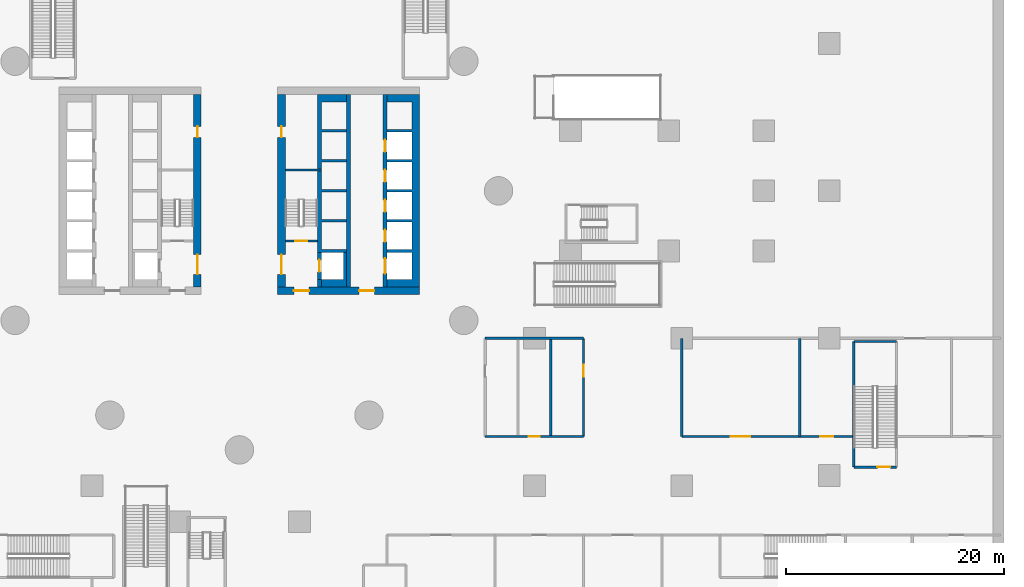
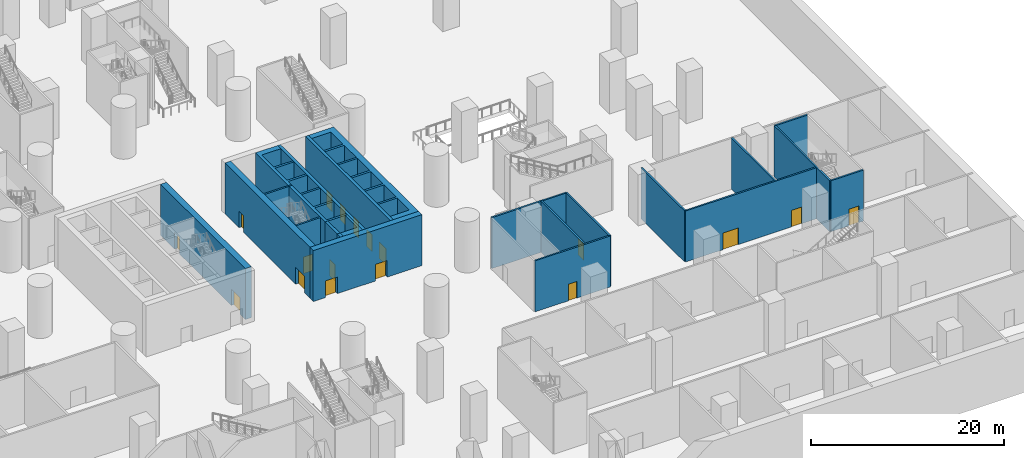
# One storey, part 8 of 37: 22 walls, 18 doors, 18 openings.
"""IFC4 building model written with IfcOpenShell, lengths in metres."""

from ifc_helpers import new_model, si_unit, direction, frame, frame_2d, origin, place, context, subcontext, project, spatial, polyline, rectangle, outline, extrude, material, layer, layer_set, type_object, element, fill, save


model = new_model("IFC4")

# Units and contexts
model_context = context("Model", 3, precision=1e-05, world=origin(), true_north=direction((0.0, 1.0)))
body_context = subcontext(model_context, "Body", "Model", "MODEL_VIEW")
ifc_project = project(units=[si_unit("LENGTHUNIT", "METRE"), si_unit("AREAUNIT", "SQUARE_METRE"), si_unit("VOLUMEUNIT", "CUBIC_METRE"), si_unit("PLANEANGLEUNIT", "RADIAN"), si_unit("MASSUNIT", "GRAM", prefix="KILO")], contexts=[model_context])

# Site, building, storey
site_placement = place(None, origin())
site = spatial("IfcSite", under=ifc_project, at=site_placement, CompositionType="ELEMENT")
building_placement = place(site_placement, origin())
building = spatial("IfcBuilding", under=site, at=building_placement, Name="Tamarind Cross Interchange Tower", CompositionType="ELEMENT")
storey_placement = place(building_placement, frame((0.0, 0.0, -7.0)))
storey = spatial("IfcBuildingStorey", under=building, at=storey_placement, Name="B1", CompositionType="ELEMENT", Elevation=-7.0)

# Wall, openings, doors
ifc_material_1 = material(Name="Concrete C80", Category="concrete")
ifc_layer_1 = layer(ifc_material_1, 0.699951171875)
ifc_layer_set_1 = layer_set([ifc_layer_1], Name="Concrete C80")
wall_type_1 = type_object("IfcWallType", Name="Core wall 700 mm Concrete C80", PredefinedType="SHEAR", material=ifc_layer_set_1)
wall_1_placement = place(storey_placement, frame((-3.85009765625, -8.800048828125, 0.0), z_axis=(0.0, 0.0, 1.0), x_axis=(0.0, 1.0, 0.0)))
wall_1 = element("IfcWall", 1, at=wall_1_placement, inside=storey, type_object=wall_type_1, Name="Core wall CWL-B1-W-IN", PredefinedType="SHEAR", context=body_context, shape_type="SweptSolid", body=[
    extrude(rectangle(XDim=17.60009765625, YDim=0.699951171875, at=frame_2d((8.800048828125, 0.0))), origin(), (0.0, 0.0, 1.0), 6.449951171875),
])
opening_1_placement = place(wall_1_placement, frame((1.14990234375, 0.0, 0.0)))
opening_1 = element("IfcOpeningElement", 2, at=opening_1_placement, cuts=wall_1, Name="Opening DCW4", PredefinedType="OPENING", context=body_context, shape_type="SweptSolid", body=[
    extrude(rectangle(XDim=1.800048828125, YDim=2.10009765625, at=frame_2d((0.89990234375, 1.050048828125))), frame((0.0, 0.35986328125, 0.0), z_axis=(0.0, -1.0, 0.0), x_axis=(1.0, 0.0, 0.0)), (0.0, 0.0, 1.0), 0.719970703125),
])
opening_2_placement = place(wall_1_placement, frame((13.699951171875, 0.0, 0.0)))
opening_2 = element("IfcOpeningElement", 3, at=opening_2_placement, cuts=wall_1, Name="Opening DCW5", PredefinedType="OPENING", context=body_context, shape_type="SweptSolid", body=[
    extrude(rectangle(XDim=1.0, YDim=2.10009765625, at=frame_2d((0.5, 1.050048828125))), frame((0.0, 0.35986328125, 0.0), z_axis=(0.0, -1.0, 0.0), x_axis=(1.0, 0.0, 0.0)), (0.0, 0.0, 1.0), 0.719970703125),
])
ifc_material_2 = material(Name="Steel, fire-resisting", Category="steel")
door_type_1 = type_object("IfcDoorType", Name="Core fire door 1000 x 2100 FD90", OperationType="SINGLE_SWING_LEFT", PredefinedType="DOOR", material=ifc_material_2)
door_1_placement = place(opening_2_placement, origin())
door_1 = element("IfcDoor", 4, at=door_1_placement, inside=storey, type_object=door_type_1, Name="B1 riser room door", OperationType="SINGLE_SWING_LEFT", OverallHeight=2.10009765625, OverallWidth=1.0, PredefinedType="DOOR", context=body_context, shape_type="SweptSolid", body=[
    extrude(rectangle(XDim=1.0, YDim=2.10009765625, at=frame_2d((0.5, 1.050048828125))), frame((0.0, 0.02490234375, 0.0), z_axis=(0.0, -1.0, 0.0), x_axis=(1.0, 0.0, 0.0)), (0.0, 0.0, 1.0), 0.050048828125),
])
fill(opening_2, door_1)
door_type_2 = type_object("IfcDoorType", Name="Core fire door 1800 x 2100 FD90", OperationType="SINGLE_SWING_LEFT", PredefinedType="DOOR", material=ifc_material_2)
door_2_placement = place(opening_1_placement, origin())
door_2 = element("IfcDoor", 5, at=door_2_placement, inside=storey, type_object=door_type_2, Name="B1 firefighting lobby door", OperationType="SINGLE_SWING_LEFT", OverallHeight=2.10009765625, OverallWidth=1.800048828125, PredefinedType="DOOR", context=body_context, shape_type="SweptSolid", body=[
    extrude(rectangle(XDim=1.800048828125, YDim=2.10009765625, at=frame_2d((0.89990234375, 1.050048828125))), frame((0.0, 0.02490234375, 0.0), z_axis=(0.0, -1.0, 0.0), x_axis=(1.0, 0.0, 0.0)), (0.0, 0.0, 1.0), 0.050048828125),
])
fill(opening_1, door_2)

wall_2_placement = place(storey_placement, frame((16.5, -9.14990234375, 0.0), z_axis=(0.0, 0.0, 1.0), x_axis=(-1.0, 0.0, 0.0)))
wall_2 = element("IfcWall", 6, at=wall_2_placement, inside=storey, type_object=wall_type_1, Name="Core wall CWL-B1-E-S", PredefinedType="SHEAR", context=body_context, shape_type="SweptSolid", body=[
    extrude(rectangle(XDim=13.0, YDim=0.699951171875, at=frame_2d((6.5, 0.0))), origin(), (0.0, 0.0, 1.0), 6.449951171875),
])
opening_3_placement = place(wall_2_placement, frame((4.14990234375, 0.0, 0.0)))
opening_3 = element("IfcOpeningElement", 7, at=opening_3_placement, cuts=wall_2, Name="Opening DCE1", PredefinedType="OPENING", context=body_context, shape_type="SweptSolid", body=[
    extrude(rectangle(XDim=1.39990234375, YDim=2.10009765625, at=frame_2d((0.699951171875, 1.050048828125))), frame((0.0, 0.35986328125, 0.0), z_axis=(0.0, -1.0, 0.0), x_axis=(1.0, 0.0, 0.0)), (0.0, 0.0, 1.0), 0.719970703125),
])
opening_4_placement = place(wall_2_placement, frame((10.125, 0.0, 0.0)))
opening_4 = element("IfcOpeningElement", 8, at=opening_4_placement, cuts=wall_2, Name="Opening DCEF", PredefinedType="OPENING", context=body_context, shape_type="SweptSolid", body=[
    extrude(rectangle(XDim=1.39990234375, YDim=2.10009765625, at=frame_2d((0.699951171875, 1.050048828125))), frame((0.0, 0.35986328125, 0.0), z_axis=(0.0, -1.0, 0.0), x_axis=(1.0, 0.0, 0.0)), (0.0, 0.0, 1.0), 0.719970703125),
])
door_type_3 = type_object("IfcDoorType", Name="Core fire door 1400 x 2100 FD90", OperationType="SINGLE_SWING_LEFT", PredefinedType="DOOR", material=ifc_material_2)
door_3_placement = place(opening_3_placement, origin())
door_3 = element("IfcDoor", 9, at=door_3_placement, inside=storey, type_object=door_type_3, Name="B1 lift lobby door", OperationType="SINGLE_SWING_LEFT", OverallHeight=2.10009765625, OverallWidth=1.39990234375, PredefinedType="DOOR", context=body_context, shape_type="SweptSolid", body=[
    extrude(rectangle(XDim=1.39990234375, YDim=2.10009765625, at=frame_2d((0.699951171875, 1.050048828125))), frame((0.0, 0.02490234375, 0.0), z_axis=(0.0, -1.0, 0.0), x_axis=(1.0, 0.0, 0.0)), (0.0, 0.0, 1.0), 0.050048828125),
])
fill(opening_3, door_3)
door_4_placement = place(opening_4_placement, origin())
door_4 = element("IfcDoor", 10, at=door_4_placement, inside=storey, type_object=door_type_3, Name="B1 firefighting lobby end door", OperationType="SINGLE_SWING_LEFT", OverallHeight=2.10009765625, OverallWidth=1.39990234375, PredefinedType="DOOR", context=body_context, shape_type="SweptSolid", body=[
    extrude(rectangle(XDim=1.39990234375, YDim=2.10009765625, at=frame_2d((0.699951171875, 1.050048828125))), frame((0.0, 0.02490234375, 0.0), z_axis=(0.0, -1.0, 0.0), x_axis=(1.0, 0.0, 0.0)), (0.0, 0.0, 1.0), 0.050048828125),
])
fill(opening_4, door_4)

# Wall
wall_3_placement = place(storey_placement, origin())
element("IfcWall", 11, at=wall_3_placement, inside=storey, type_object=wall_type_1, Name="Core wall CWL-B1-E-A", PredefinedType="SHEAR", context=body_context, shape_type="SweptSolid", body=[
    extrude(outline(polyline([(13.5, -8.800048828125), (15.800048828125, -8.800048828125), (16.5, -8.800048828125), (16.5, 8.800048828125), (15.800048828125, 8.800048828125), (13.5, 8.800048828125), (13.5, 8.125), (15.800048828125, 8.125), (15.800048828125, 5.625), (13.5, 5.625), (13.5, 5.375), (15.800048828125, 5.375), (15.800048828125, 2.875), (13.5, 2.875), (13.5, 2.625), (15.800048828125, 2.625), (15.800048828125, 0.125), (13.5, 0.125), (13.5, -0.125), (15.800048828125, -0.125), (15.800048828125, -2.625), (13.5, -2.625), (13.5, -2.875), (15.800048828125, -2.875), (15.800048828125, -5.375), (13.5, -5.375), (13.5, -5.625), (15.800048828125, -5.625), (15.800048828125, -8.125), (13.5, -8.125), (13.5, -8.800048828125)])), origin(), (0.0, 0.0, 1.0), 6.449951171875),
])

# Wall, openings, doors
wall_4_placement = place(storey_placement, frame((3.85009765625, -8.800048828125, 0.0), z_axis=(0.0, 0.0, 1.0), x_axis=(0.0, 1.0, 0.0)))
wall_4 = element("IfcWall", 12, at=wall_4_placement, inside=storey, type_object=wall_type_1, Name="Core wall CWL-B1-E-IN", PredefinedType="SHEAR", context=body_context, shape_type="SweptSolid", body=[
    extrude(rectangle(XDim=17.60009765625, YDim=0.699951171875, at=frame_2d((8.800048828125, 0.0))), origin(), (0.0, 0.0, 1.0), 6.449951171875),
])
opening_5_placement = place(wall_4_placement, frame((1.14990234375, 0.0, 0.0)))
opening_5 = element("IfcOpeningElement", 13, at=opening_5_placement, cuts=wall_4, Name="Opening DCE4", PredefinedType="OPENING", context=body_context, shape_type="SweptSolid", body=[
    extrude(rectangle(XDim=1.800048828125, YDim=2.10009765625, at=frame_2d((0.89990234375, 1.050048828125))), frame((0.0, 0.35986328125, 0.0), z_axis=(0.0, -1.0, 0.0), x_axis=(1.0, 0.0, 0.0)), (0.0, 0.0, 1.0), 0.719970703125),
])
opening_6_placement = place(wall_4_placement, frame((13.699951171875, 0.0, 0.0)))
opening_6 = element("IfcOpeningElement", 14, at=opening_6_placement, cuts=wall_4, Name="Opening DCE5", PredefinedType="OPENING", context=body_context, shape_type="SweptSolid", body=[
    extrude(rectangle(XDim=1.0, YDim=2.10009765625, at=frame_2d((0.5, 1.050048828125))), frame((0.0, 0.35986328125, 0.0), z_axis=(0.0, -1.0, 0.0), x_axis=(1.0, 0.0, 0.0)), (0.0, 0.0, 1.0), 0.719970703125),
])
door_5_placement = place(opening_6_placement, origin())
door_5 = element("IfcDoor", 15, at=door_5_placement, inside=storey, type_object=door_type_1, Name="B1 riser room door", OperationType="SINGLE_SWING_LEFT", OverallHeight=2.10009765625, OverallWidth=1.0, PredefinedType="DOOR", context=body_context, shape_type="SweptSolid", body=[
    extrude(rectangle(XDim=1.0, YDim=2.10009765625, at=frame_2d((0.5, 1.050048828125))), frame((0.0, 0.02490234375, 0.0), z_axis=(0.0, -1.0, 0.0), x_axis=(1.0, 0.0, 0.0)), (0.0, 0.0, 1.0), 0.050048828125),
])
fill(opening_6, door_5)
door_6_placement = place(opening_5_placement, origin())
door_6 = element("IfcDoor", 16, at=door_6_placement, inside=storey, type_object=door_type_2, Name="B1 firefighting lobby door", OperationType="SINGLE_SWING_LEFT", OverallHeight=2.10009765625, OverallWidth=1.800048828125, PredefinedType="DOOR", context=body_context, shape_type="SweptSolid", body=[
    extrude(rectangle(XDim=1.800048828125, YDim=2.10009765625, at=frame_2d((0.89990234375, 1.050048828125))), frame((0.0, 0.02490234375, 0.0), z_axis=(0.0, -1.0, 0.0), x_axis=(1.0, 0.0, 0.0)), (0.0, 0.0, 1.0), 0.050048828125),
])
fill(opening_5, door_6)

# Walls
ifc_layer_2 = layer(ifc_material_1, 0.199951171875)
ifc_layer_set_2 = layer_set([ifc_layer_2], Name="Concrete C80")
wall_type_2 = type_object("IfcWallType", Name="Core web wall 200 mm Concrete C80", PredefinedType="SHEAR", material=ifc_layer_set_2)
wall_5_placement = place(storey_placement, frame((7.5, 1.89990234375, 0.0), z_axis=(0.0, 0.0, 1.0), x_axis=(-1.0, 0.0, 0.0)))
element("IfcWall", 17, at=wall_5_placement, inside=storey, type_object=wall_type_2, Name="Core wall CWL-B1-E-BD", PredefinedType="SHEAR", context=body_context, shape_type="SweptSolid", body=[
    extrude(rectangle(XDim=3.300048828125, YDim=0.199951171875, at=frame_2d((1.64990234375, 0.0))), origin(), (0.0, 0.0, 1.0), 6.449951171875),
])
ifc_layer_3 = layer(ifc_material_1, 0.35009765625)
ifc_layer_set_3 = layer_set([ifc_layer_3], Name="Concrete C80")
wall_type_3 = type_object("IfcWallType", Name="Core web wall 350 mm Concrete C80", PredefinedType="SHEAR", material=ifc_layer_set_3)
wall_6_placement = place(storey_placement, origin())
element("IfcWall", 18, at=wall_6_placement, inside=storey, type_object=wall_type_3, Name="Core wall CWL-B1-E-BN", PredefinedType="SHEAR", context=body_context, shape_type="SweptSolid", body=[
    extrude(outline(polyline([(9.800048828125, -5.375), (7.5, -5.375), (7.5, -2.875), (9.800048828125, -2.875), (9.800048828125, -2.625), (7.5, -2.625), (7.5, -0.125), (9.800048828125, -0.125), (9.800048828125, 0.125), (7.5, 0.125), (7.5, 2.625), (9.800048828125, 2.625), (9.800048828125, 2.875), (7.5, 2.875), (7.5, 5.375), (9.800048828125, 5.375), (9.800048828125, 5.625), (7.5, 5.625), (7.5, 8.125), (9.800048828125, 8.125), (9.800048828125, 8.800048828125), (7.5, 8.800048828125), (7.14990234375, 8.800048828125), (7.14990234375, -5.625), (7.5, -5.625), (9.800048828125, -5.625), (9.800048828125, -5.375)])), origin(), (0.0, 0.0, 1.0), 6.449951171875),
])
wall_7_placement = place(storey_placement, origin())
element("IfcWall", 19, at=wall_7_placement, inside=storey, type_object=wall_type_3, Name="Core wall CWL-B1-E-BS", PredefinedType="SHEAR", context=body_context, shape_type="SweptSolid", body=[
    extrude(outline(polyline([(7.5, -8.125), (7.5, -8.800048828125), (9.800048828125, -8.800048828125), (9.800048828125, -8.125), (9.800048828125, -5.625), (9.550048828125, -5.625), (9.550048828125, -8.125), (7.5, -8.125)])), origin(), (0.0, 0.0, 1.0), 6.449951171875),
])
wall_8_placement = place(storey_placement, frame((7.324951171875, -8.800048828125, 0.0), z_axis=(0.0, 0.0, 1.0), x_axis=(0.0, 1.0, 0.0)))
element("IfcWall", 20, at=wall_8_placement, inside=storey, type_object=wall_type_3, Name="Core wall CWL-B1-E-BW", PredefinedType="SHEAR", context=body_context, shape_type="SweptSolid", body=[
    extrude(rectangle(XDim=0.675048828125, YDim=0.35009765625, at=frame_2d((0.33740234375, 0.0))), origin(), (0.0, 0.0, 1.0), 6.449951171875),
])

# Wall, openings, doors
wall_9_placement = place(storey_placement, frame((13.324951171875, -8.800048828125, 0.0), z_axis=(0.0, 0.0, 1.0), x_axis=(0.0, 1.0, 0.0)))
wall_9 = element("IfcWall", 21, at=wall_9_placement, inside=storey, type_object=wall_type_3, Name="Core wall CWL-B1-E-LA", PredefinedType="SHEAR", context=body_context, shape_type="SweptSolid", body=[
    extrude(rectangle(XDim=17.60009765625, YDim=0.35009765625, at=frame_2d((8.800048828125, 0.0))), origin(), (0.0, 0.0, 1.0), 6.449951171875),
])
opening_7_placement = place(wall_9_placement, frame((1.22509765625, 0.0, 0.0)))
opening_7 = element("IfcOpeningElement", 22, at=opening_7_placement, cuts=wall_9, Name="Opening LD13B1", PredefinedType="OPENING", context=body_context, shape_type="SweptSolid", body=[
    extrude(rectangle(XDim=1.39990234375, YDim=2.10009765625, at=frame_2d((0.699951171875, 1.050048828125))), frame((0.0, 0.18505859375, 0.0), z_axis=(0.0, -1.0, 0.0), x_axis=(1.0, 0.0, 0.0)), (0.0, 0.0, 1.0), 0.3701171875),
])
opening_8_placement = place(wall_9_placement, frame((4.125, 0.0, 0.0)))
opening_8 = element("IfcOpeningElement", 23, at=opening_8_placement, cuts=wall_9, Name="Opening LD14B1", PredefinedType="OPENING", context=body_context, shape_type="SweptSolid", body=[
    extrude(rectangle(XDim=1.10009765625, YDim=2.10009765625, at=frame_2d((0.550048828125, 1.050048828125))), frame((0.0, 0.18505859375, 0.0), z_axis=(0.0, -1.0, 0.0), x_axis=(1.0, 0.0, 0.0)), (0.0, 0.0, 1.0), 0.3701171875),
])
opening_9_placement = place(wall_9_placement, frame((6.875, 0.0, 0.0)))
opening_9 = element("IfcOpeningElement", 24, at=opening_9_placement, cuts=wall_9, Name="Opening LD15B1", PredefinedType="OPENING", context=body_context, shape_type="SweptSolid", body=[
    extrude(rectangle(XDim=1.10009765625, YDim=2.10009765625, at=frame_2d((0.550048828125, 1.050048828125))), frame((0.0, 0.18505859375, 0.0), z_axis=(0.0, -1.0, 0.0), x_axis=(1.0, 0.0, 0.0)), (0.0, 0.0, 1.0), 0.3701171875),
])
opening_10_placement = place(wall_9_placement, frame((9.625, 0.0, 0.0)))
opening_10 = element("IfcOpeningElement", 25, at=opening_10_placement, cuts=wall_9, Name="Opening LD16B1", PredefinedType="OPENING", context=body_context, shape_type="SweptSolid", body=[
    extrude(rectangle(XDim=1.10009765625, YDim=2.10009765625, at=frame_2d((0.550048828125, 1.050048828125))), frame((0.0, 0.18505859375, 0.0), z_axis=(0.0, -1.0, 0.0), x_axis=(1.0, 0.0, 0.0)), (0.0, 0.0, 1.0), 0.3701171875),
])
opening_11_placement = place(wall_9_placement, frame((12.375, 0.0, 0.0)))
opening_11 = element("IfcOpeningElement", 26, at=opening_11_placement, cuts=wall_9, Name="Opening LD17B1", PredefinedType="OPENING", context=body_context, shape_type="SweptSolid", body=[
    extrude(rectangle(XDim=1.10009765625, YDim=2.10009765625, at=frame_2d((0.550048828125, 1.050048828125))), frame((0.0, 0.18505859375, 0.0), z_axis=(0.0, -1.0, 0.0), x_axis=(1.0, 0.0, 0.0)), (0.0, 0.0, 1.0), 0.3701171875),
])
ifc_material_3 = material(Name="Stainless steel panel", Category="steel")
door_type_4 = type_object("IfcDoorType", Name="Lift landing door 1100 x 2100 E 120", OperationType="SLIDING_TO_LEFT", PredefinedType="DOOR", material=ifc_material_3)
door_7_placement = place(opening_8_placement, origin())
door_7 = element("IfcDoor", 27, at=door_7_placement, inside=storey, type_object=door_type_4, Name="B1 landing door LF14", OperationType="SLIDING_TO_LEFT", OverallHeight=2.10009765625, OverallWidth=1.10009765625, PredefinedType="DOOR", context=body_context, shape_type="SweptSolid", body=[
    extrude(rectangle(XDim=1.10009765625, YDim=2.10009765625, at=frame_2d((0.550048828125, 1.050048828125))), frame((0.0, 0.02490234375, 0.0), z_axis=(0.0, -1.0, 0.0), x_axis=(1.0, 0.0, 0.0)), (0.0, 0.0, 1.0), 0.050048828125),
])
fill(opening_8, door_7)
door_8_placement = place(opening_9_placement, origin())
door_8 = element("IfcDoor", 28, at=door_8_placement, inside=storey, type_object=door_type_4, Name="B1 landing door LF15", OperationType="SLIDING_TO_LEFT", OverallHeight=2.10009765625, OverallWidth=1.10009765625, PredefinedType="DOOR", context=body_context, shape_type="SweptSolid", body=[
    extrude(rectangle(XDim=1.10009765625, YDim=2.10009765625, at=frame_2d((0.550048828125, 1.050048828125))), frame((0.0, 0.02490234375, 0.0), z_axis=(0.0, -1.0, 0.0), x_axis=(1.0, 0.0, 0.0)), (0.0, 0.0, 1.0), 0.050048828125),
])
fill(opening_9, door_8)
door_9_placement = place(opening_10_placement, origin())
door_9 = element("IfcDoor", 29, at=door_9_placement, inside=storey, type_object=door_type_4, Name="B1 landing door LF16", OperationType="SLIDING_TO_LEFT", OverallHeight=2.10009765625, OverallWidth=1.10009765625, PredefinedType="DOOR", context=body_context, shape_type="SweptSolid", body=[
    extrude(rectangle(XDim=1.10009765625, YDim=2.10009765625, at=frame_2d((0.550048828125, 1.050048828125))), frame((0.0, 0.02490234375, 0.0), z_axis=(0.0, -1.0, 0.0), x_axis=(1.0, 0.0, 0.0)), (0.0, 0.0, 1.0), 0.050048828125),
])
fill(opening_10, door_9)
door_10_placement = place(opening_11_placement, origin())
door_10 = element("IfcDoor", 30, at=door_10_placement, inside=storey, type_object=door_type_4, Name="B1 landing door LF17", OperationType="SLIDING_TO_LEFT", OverallHeight=2.10009765625, OverallWidth=1.10009765625, PredefinedType="DOOR", context=body_context, shape_type="SweptSolid", body=[
    extrude(rectangle(XDim=1.10009765625, YDim=2.10009765625, at=frame_2d((0.550048828125, 1.050048828125))), frame((0.0, 0.02490234375, 0.0), z_axis=(0.0, -1.0, 0.0), x_axis=(1.0, 0.0, 0.0)), (0.0, 0.0, 1.0), 0.050048828125),
])
fill(opening_11, door_10)
door_type_5 = type_object("IfcDoorType", Name="Lift landing door 1400 x 2100 E 120", OperationType="SLIDING_TO_LEFT", PredefinedType="DOOR", material=ifc_material_3)
door_11_placement = place(opening_7_placement, origin())
door_11 = element("IfcDoor", 31, at=door_11_placement, inside=storey, type_object=door_type_5, Name="B1 landing door LF13", OperationType="SLIDING_TO_LEFT", OverallHeight=2.10009765625, OverallWidth=1.39990234375, PredefinedType="DOOR", context=body_context, shape_type="SweptSolid", body=[
    extrude(rectangle(XDim=1.39990234375, YDim=2.10009765625, at=frame_2d((0.699951171875, 1.050048828125))), frame((0.0, 0.02490234375, 0.0), z_axis=(0.0, -1.0, 0.0), x_axis=(1.0, 0.0, 0.0)), (0.0, 0.0, 1.0), 0.050048828125),
])
fill(opening_7, door_11)

# Wall
wall_10_placement = place(storey_placement, frame((9.97509765625, -8.800048828125, 0.0), z_axis=(0.0, 0.0, 1.0), x_axis=(0.0, 1.0, 0.0)))
element("IfcWall", 32, at=wall_10_placement, inside=storey, type_object=wall_type_3, Name="Core wall CWL-B1-E-LB", PredefinedType="SHEAR", context=body_context, shape_type="SweptSolid", body=[
    extrude(rectangle(XDim=17.60009765625, YDim=0.35009765625, at=frame_2d((8.800048828125, 0.0))), origin(), (0.0, 0.0, 1.0), 6.449951171875),
])

# Wall, opening, door
wall_11_placement = place(storey_placement, frame((7.324951171875, -8.125, 0.0), z_axis=(0.0, 0.0, 1.0), x_axis=(0.0, 1.0, 0.0)))
wall_11 = element("IfcWall", 33, at=wall_11_placement, inside=storey, type_object=wall_type_3, Name="Core wall CWL-B1-E-FF", PredefinedType="SHEAR", context=body_context, shape_type="SweptSolid", body=[
    extrude(rectangle(XDim=2.5, YDim=0.35009765625, at=frame_2d((1.25, 0.0))), origin(), (0.0, 0.0, 1.0), 6.449951171875),
])
opening_12_placement = place(wall_11_placement, frame((0.699951171875, 0.0, 0.0)))
opening_12 = element("IfcOpeningElement", 34, at=opening_12_placement, cuts=wall_11, Name="Opening LD19B1", PredefinedType="OPENING", context=body_context, shape_type="SweptSolid", body=[
    extrude(rectangle(XDim=1.10009765625, YDim=2.10009765625, at=frame_2d((0.550048828125, 1.050048828125))), frame((0.0, 0.18505859375, 0.0), z_axis=(0.0, -1.0, 0.0), x_axis=(1.0, 0.0, 0.0)), (0.0, 0.0, 1.0), 0.3701171875),
])
door_12_placement = place(opening_12_placement, origin())
door_12 = element("IfcDoor", 35, at=door_12_placement, inside=storey, type_object=door_type_4, Name="B1 landing door LF19", OperationType="SLIDING_TO_LEFT", OverallHeight=2.10009765625, OverallWidth=1.10009765625, PredefinedType="DOOR", context=body_context, shape_type="SweptSolid", body=[
    extrude(rectangle(XDim=1.10009765625, YDim=2.10009765625, at=frame_2d((0.550048828125, 1.050048828125))), frame((0.0, 0.02490234375, 0.0), z_axis=(0.0, -1.0, 0.0), x_axis=(1.0, 0.0, 0.0)), (0.0, 0.0, 1.0), 0.050048828125),
])
fill(opening_12, door_12)

# Wall, openings, doors
ifc_material_4 = material(Name="Masonry partition, fire-rated", Category="masonry")
ifc_layer_4 = layer(ifc_material_4, 0.199951171875)
ifc_layer_set_4 = layer_set([ifc_layer_4], Name="Masonry partition, fire-rated")
wall_type_4 = type_object("IfcWallType", Name="Fire partition 200 EI 120", PredefinedType="PARTITIONING", material=ifc_layer_set_4)
wall_12_placement = place(storey_placement, frame((40.5, -22.5, 0.0), z_axis=(0.0, 0.0, 1.0), x_axis=(1.0, 0.0, 0.0)))
wall_12 = element("IfcWall", 36, at=wall_12_placement, inside=storey, type_object=wall_type_4, Name="B1 partition 105", PredefinedType="PARTITIONING", context=body_context, shape_type="SweptSolid", body=[
    extrude(rectangle(XDim=15.719970703125, YDim=0.199951171875, at=frame_2d((7.85986328125, 0.0))), origin(), (0.0, 0.0, 1.0), 6.449951171875),
])
opening_13_placement = place(wall_12_placement, frame((4.489990234375, 0.0, 0.0)))
opening_13 = element("IfcOpeningElement", 37, at=opening_13_placement, cuts=wall_12, Name="Opening DB1-19", PredefinedType="OPENING", context=body_context, shape_type="SweptSolid", body=[
    extrude(rectangle(XDim=1.800048828125, YDim=2.10009765625, at=frame_2d((0.89990234375, 1.050048828125))), frame((0.0, 0.10986328125, 0.0), z_axis=(0.0, -1.0, 0.0), x_axis=(1.0, 0.0, 0.0)), (0.0, 0.0, 1.0), 0.219970703125),
])
opening_14_placement = place(wall_12_placement, frame((12.675048828125, 0.0, 0.0)))
opening_14 = element("IfcOpeningElement", 38, at=opening_14_placement, cuts=wall_12, Name="Opening DB1-20", PredefinedType="OPENING", context=body_context, shape_type="SweptSolid", body=[
    extrude(rectangle(XDim=1.199951171875, YDim=2.10009765625, at=frame_2d((0.60009765625, 1.050048828125))), frame((0.0, 0.10986328125, 0.0), z_axis=(0.0, -1.0, 0.0), x_axis=(1.0, 0.0, 0.0)), (0.0, 0.0, 1.0), 0.219970703125),
])
door_type_6 = type_object("IfcDoorType", Name="Podium door 1200 x 2100 FD60", OperationType="SINGLE_SWING_LEFT", PredefinedType="DOOR", material=ifc_material_2)
door_13_placement = place(opening_14_placement, origin())
door_13 = element("IfcDoor", 39, at=door_13_placement, inside=storey, type_object=door_type_6, Name="B1 door Tenant Store B102", OperationType="SINGLE_SWING_RIGHT", OverallHeight=2.10009765625, OverallWidth=1.199951171875, PredefinedType="DOOR", context=body_context, shape_type="SweptSolid", body=[
    extrude(rectangle(XDim=1.199951171875, YDim=2.10009765625, at=frame_2d((0.60009765625, 1.050048828125))), frame((0.0, 0.02490234375, 0.0), z_axis=(0.0, -1.0, 0.0), x_axis=(1.0, 0.0, 0.0)), (0.0, 0.0, 1.0), 0.050048828125),
])
fill(opening_14, door_13)
door_type_7 = type_object("IfcDoorType", Name="Podium door 1800 x 2100 FD60", OperationType="SINGLE_SWING_LEFT", PredefinedType="DOOR", material=ifc_material_2)
door_14_placement = place(opening_13_placement, origin())
door_14 = element("IfcDoor", 40, at=door_14_placement, inside=storey, type_object=door_type_7, Name="B1 door Pharmacy B101", OperationType="SINGLE_SWING_LEFT", OverallHeight=2.10009765625, OverallWidth=1.800048828125, PredefinedType="DOOR", context=body_context, shape_type="SweptSolid", body=[
    extrude(rectangle(XDim=1.800048828125, YDim=2.10009765625, at=frame_2d((0.89990234375, 1.050048828125))), frame((0.0, 0.02490234375, 0.0), z_axis=(0.0, -1.0, 0.0), x_axis=(1.0, 0.0, 0.0)), (0.0, 0.0, 1.0), 0.050048828125),
])
fill(opening_13, door_14)

# Walls
for number, where, z_axis, x_axis, name in (
    (41, (51.300048828125, -22.5, 0.0), (0.0, 0.0, 1.0), (0.0, 1.0, 0.0), "B1 partition 106"),
    (42, (40.5, -22.5, 0.0), (0.0, 0.0, 1.0), (0.0, 1.0, 0.0), "B1 partition 107"),
):
    element("IfcWall", number, at=place(storey_placement, frame(where, z_axis=z_axis, x_axis=x_axis)), inside=storey, type_object=wall_type_4, Name=name, PredefinedType="PARTITIONING", context=body_context, shape_type="SweptSolid", body=[
        extrude(rectangle(XDim=9.0, YDim=0.199951171875, at=frame_2d((4.5, 0.0))), origin(), (0.0, 0.0, 1.0), 6.449951171875),
    ])

# Wall, opening, door
ifc_layer_5 = layer(ifc_material_4, 0.199951171875)
ifc_layer_set_5 = layer_set([ifc_layer_5], Name="Masonry partition, fire-rated")
wall_type_5 = type_object("IfcWallType", Name="Fire partition 200 EI 90", PredefinedType="PARTITIONING", material=ifc_layer_set_5)
wall_13_placement = place(storey_placement, frame((22.5, -22.5, 0.0), z_axis=(0.0, 0.0, 1.0), x_axis=(1.0, 0.0, 0.0)))
wall_13 = element("IfcWall", 43, at=wall_13_placement, inside=storey, type_object=wall_type_5, Name="B1 partition 93", PredefinedType="PARTITIONING", context=body_context, shape_type="SweptSolid", body=[
    extrude(rectangle(XDim=9.0, YDim=0.199951171875, at=frame_2d((4.5, 0.0))), origin(), (0.0, 0.0, 1.0), 6.449951171875),
])
opening_15_placement = place(wall_13_placement, frame((3.989990234375, 0.0, 0.0)))
opening_15 = element("IfcOpeningElement", 44, at=opening_15_placement, cuts=wall_13, Name="Opening DB1-17", PredefinedType="OPENING", context=body_context, shape_type="SweptSolid", body=[
    extrude(rectangle(XDim=1.0, YDim=2.10009765625, at=frame_2d((0.5, 1.050048828125))), frame((0.0, 0.10986328125, 0.0), z_axis=(0.0, -1.0, 0.0), x_axis=(1.0, 0.0, 0.0)), (0.0, 0.0, 1.0), 0.219970703125),
])
door_type_8 = type_object("IfcDoorType", Name="Podium door 1000 x 2100 FD60", OperationType="SINGLE_SWING_LEFT", PredefinedType="DOOR", material=ifc_material_2)
door_15_placement = place(opening_15_placement, origin())
door_15 = element("IfcDoor", 45, at=door_15_placement, inside=storey, type_object=door_type_8, Name="B1 door Men's Toilets B1SE", OperationType="SINGLE_SWING_LEFT", OverallHeight=2.10009765625, OverallWidth=1.0, PredefinedType="DOOR", context=body_context, shape_type="SweptSolid", body=[
    extrude(rectangle(XDim=1.0, YDim=2.10009765625, at=frame_2d((0.5, 1.050048828125))), frame((0.0, 0.02490234375, 0.0), z_axis=(0.0, -1.0, 0.0), x_axis=(1.0, 0.0, 0.0)), (0.0, 0.0, 1.0), 0.050048828125),
])
fill(opening_15, door_15)

# Wall
wall_14_placement = place(storey_placement, frame((22.5, -13.5, 0.0), z_axis=(0.0, 0.0, 1.0), x_axis=(1.0, 0.0, 0.0)))
element("IfcWall", 46, at=wall_14_placement, inside=storey, type_object=wall_type_5, Name="B1 partition 96", PredefinedType="PARTITIONING", context=body_context, shape_type="SweptSolid", body=[
    extrude(rectangle(XDim=9.0, YDim=0.199951171875, at=frame_2d((4.5, 0.0))), origin(), (0.0, 0.0, 1.0), 6.449951171875),
])

# Wall, opening, door
wall_15_placement = place(storey_placement, frame((31.5, -22.5, 0.0), z_axis=(0.0, 0.0, 1.0), x_axis=(0.0, 1.0, 0.0)))
wall_15 = element("IfcWall", 47, at=wall_15_placement, inside=storey, type_object=wall_type_5, Name="B1 partition 97", PredefinedType="PARTITIONING", context=body_context, shape_type="SweptSolid", body=[
    extrude(rectangle(XDim=9.0, YDim=0.199951171875, at=frame_2d((4.5, 0.0))), origin(), (0.0, 0.0, 1.0), 6.449951171875),
])
opening_16_placement = place(wall_15_placement, frame((5.4599609375, 0.0, 0.0)))
opening_16 = element("IfcOpeningElement", 48, at=opening_16_placement, cuts=wall_15, Name="Opening DB1-18", PredefinedType="OPENING", context=body_context, shape_type="SweptSolid", body=[
    extrude(rectangle(XDim=1.10009765625, YDim=2.10009765625, at=frame_2d((0.550048828125, 1.050048828125))), frame((0.0, 0.10986328125, 0.0), z_axis=(0.0, -1.0, 0.0), x_axis=(1.0, 0.0, 0.0)), (0.0, 0.0, 1.0), 0.219970703125),
])
door_type_9 = type_object("IfcDoorType", Name="Podium door 1100 x 2100 FD60", OperationType="SINGLE_SWING_LEFT", PredefinedType="DOOR", material=ifc_material_2)
door_16_placement = place(opening_16_placement, origin())
door_16 = element("IfcDoor", 49, at=door_16_placement, inside=storey, type_object=door_type_9, Name="B1 door Accessible Toilet B1SE", OperationType="SINGLE_SWING_RIGHT", OverallHeight=2.10009765625, OverallWidth=1.10009765625, PredefinedType="DOOR", context=body_context, shape_type="SweptSolid", body=[
    extrude(rectangle(XDim=1.10009765625, YDim=2.10009765625, at=frame_2d((0.550048828125, 1.050048828125))), frame((0.0, 0.02490234375, 0.0), z_axis=(0.0, -1.0, 0.0), x_axis=(1.0, 0.0, 0.0)), (0.0, 0.0, 1.0), 0.050048828125),
])
fill(opening_16, door_16)

# Walls
wall_16_placement = place(storey_placement, frame((28.5, -22.5, 0.0), z_axis=(0.0, 0.0, 1.0), x_axis=(0.0, 1.0, 0.0)))
element("IfcWall", 50, at=wall_16_placement, inside=storey, type_object=wall_type_5, Name="B1 partition 98", PredefinedType="PARTITIONING", context=body_context, shape_type="SweptSolid", body=[
    extrude(rectangle(XDim=9.0, YDim=0.199951171875, at=frame_2d((4.5, 0.0))), origin(), (0.0, 0.0, 1.0), 6.449951171875),
])
ifc_material_5 = material(Name="Concrete C40", Category="concrete")
ifc_layer_6 = layer(ifc_material_5, 0.199951171875)
ifc_layer_set_6 = layer_set([ifc_layer_6], Name="Concrete C40")
wall_type_6 = type_object("IfcWallType", Name="Stair shaft wall 200 EI 180", PredefinedType="PARTITIONING", material=ifc_layer_set_6)
wall_17_placement = place(storey_placement, frame((56.25, -25.300048828125, 0.0), z_axis=(0.0, 0.0, 1.0), x_axis=(0.0, 1.0, 0.0)))
element("IfcWall", 51, at=wall_17_placement, inside=storey, type_object=wall_type_6, Name="B1 stair shaft wall 49", PredefinedType="PARTITIONING", context=body_context, shape_type="SweptSolid", body=[
    extrude(rectangle(XDim=11.5, YDim=0.199951171875, at=frame_2d((5.75, 0.0))), origin(), (0.0, 0.0, 1.0), 6.449951171875),
])
wall_18_placement = place(storey_placement, frame((56.25, -13.800048828125, 0.0), z_axis=(0.0, 0.0, 1.0), x_axis=(1.0, 0.0, 0.0)))
element("IfcWall", 52, at=wall_18_placement, inside=storey, type_object=wall_type_6, Name="B1 stair shaft wall 50", PredefinedType="PARTITIONING", context=body_context, shape_type="SweptSolid", body=[
    extrude(rectangle(XDim=3.89990234375, YDim=0.199951171875, at=frame_2d((1.949951171875, 0.0))), origin(), (0.0, 0.0, 1.0), 6.449951171875),
])

# Wall, opening, door
wall_19_placement = place(storey_placement, frame((56.25, -25.300048828125, 0.0), z_axis=(0.0, 0.0, 1.0), x_axis=(1.0, 0.0, 0.0)))
wall_19 = element("IfcWall", 53, at=wall_19_placement, inside=storey, type_object=wall_type_6, Name="B1 stair shaft wall 52", PredefinedType="PARTITIONING", context=body_context, shape_type="SweptSolid", body=[
    extrude(rectangle(XDim=3.89990234375, YDim=0.199951171875, at=frame_2d((1.949951171875, 0.0))), origin(), (0.0, 0.0, 1.0), 6.449951171875),
])
opening_17_placement = place(wall_19_placement, frame((2.14990234375, 0.0, 0.0)))
opening_17 = element("IfcOpeningElement", 54, at=opening_17_placement, cuts=wall_19, Name="Opening DB1-13", PredefinedType="OPENING", context=body_context, shape_type="SweptSolid", body=[
    extrude(rectangle(XDim=1.199951171875, YDim=2.10009765625, at=frame_2d((0.60009765625, 1.050048828125))), frame((0.0, 0.10986328125, 0.0), z_axis=(0.0, -1.0, 0.0), x_axis=(1.0, 0.0, 0.0)), (0.0, 0.0, 1.0), 0.219970703125),
])
door_type_10 = type_object("IfcDoorType", Name="Podium door 1200 x 2100 FD90", OperationType="SINGLE_SWING_LEFT", PredefinedType="DOOR", material=ifc_material_2)
door_17_placement = place(opening_17_placement, origin())
door_17 = element("IfcDoor", 55, at=door_17_placement, inside=storey, type_object=door_type_10, Name="B1 door Exit Stair PX11", OperationType="SINGLE_SWING_LEFT", OverallHeight=2.10009765625, OverallWidth=1.199951171875, PredefinedType="DOOR", context=body_context, shape_type="SweptSolid", body=[
    extrude(rectangle(XDim=1.199951171875, YDim=2.10009765625, at=frame_2d((0.60009765625, 1.050048828125))), frame((0.0, 0.02490234375, 0.0), z_axis=(0.0, -1.0, 0.0), x_axis=(1.0, 0.0, 0.0)), (0.0, 0.0, 1.0), 0.050048828125),
])
fill(opening_17, door_17)

ifc_layer_7 = layer(ifc_material_5, 0.199951171875)
ifc_layer_set_7 = layer_set([ifc_layer_7], Name="Concrete C40")
wall_type_7 = type_object("IfcWallType", Name="Stair shaft wall 200 mm Concrete C40", PredefinedType="SHEAR", material=ifc_layer_set_7)
wall_20_placement = place(storey_placement, frame((7.14990234375, -4.60009765625, 0.0), z_axis=(0.0, 0.0, 1.0), x_axis=(-1.0, 0.0, 0.0)))
wall_20 = element("IfcWall", 56, at=wall_20_placement, inside=storey, type_object=wall_type_7, Name="Core wall CWL-B1-E-SD", PredefinedType="SHEAR", context=body_context, shape_type="SweptSolid", body=[
    extrude(rectangle(XDim=2.949951171875, YDim=0.199951171875, at=frame_2d((1.47509765625, 0.0))), origin(), (0.0, 0.0, 1.0), 6.449951171875),
])
opening_18_placement = place(wall_20_placement, frame((0.925048828125, 0.0, 0.0)))
opening_18 = element("IfcOpeningElement", 57, at=opening_18_placement, cuts=wall_20, Name="Opening DCE6", PredefinedType="OPENING", context=body_context, shape_type="SweptSolid", body=[
    extrude(rectangle(XDim=1.10009765625, YDim=2.10009765625, at=frame_2d((0.550048828125, 1.050048828125))), frame((0.0, 0.10986328125, 0.0), z_axis=(0.0, -1.0, 0.0), x_axis=(1.0, 0.0, 0.0)), (0.0, 0.0, 1.0), 0.219970703125),
])
door_type_11 = type_object("IfcDoorType", Name="Core fire door 1100 x 2100 FD90", OperationType="SINGLE_SWING_LEFT", PredefinedType="DOOR", material=ifc_material_2)
door_18_placement = place(opening_18_placement, origin())
door_18 = element("IfcDoor", 58, at=door_18_placement, inside=storey, type_object=door_type_11, Name="B1 stair door", OperationType="SINGLE_SWING_LEFT", OverallHeight=2.10009765625, OverallWidth=1.10009765625, PredefinedType="DOOR", context=body_context, shape_type="SweptSolid", body=[
    extrude(rectangle(XDim=1.10009765625, YDim=2.10009765625, at=frame_2d((0.550048828125, 1.050048828125))), frame((0.0, 0.02490234375, 0.0), z_axis=(0.0, -1.0, 0.0), x_axis=(1.0, 0.0, 0.0)), (0.0, 0.0, 1.0), 0.050048828125),
])
fill(opening_18, door_18)

save(model, "model.ifc")
